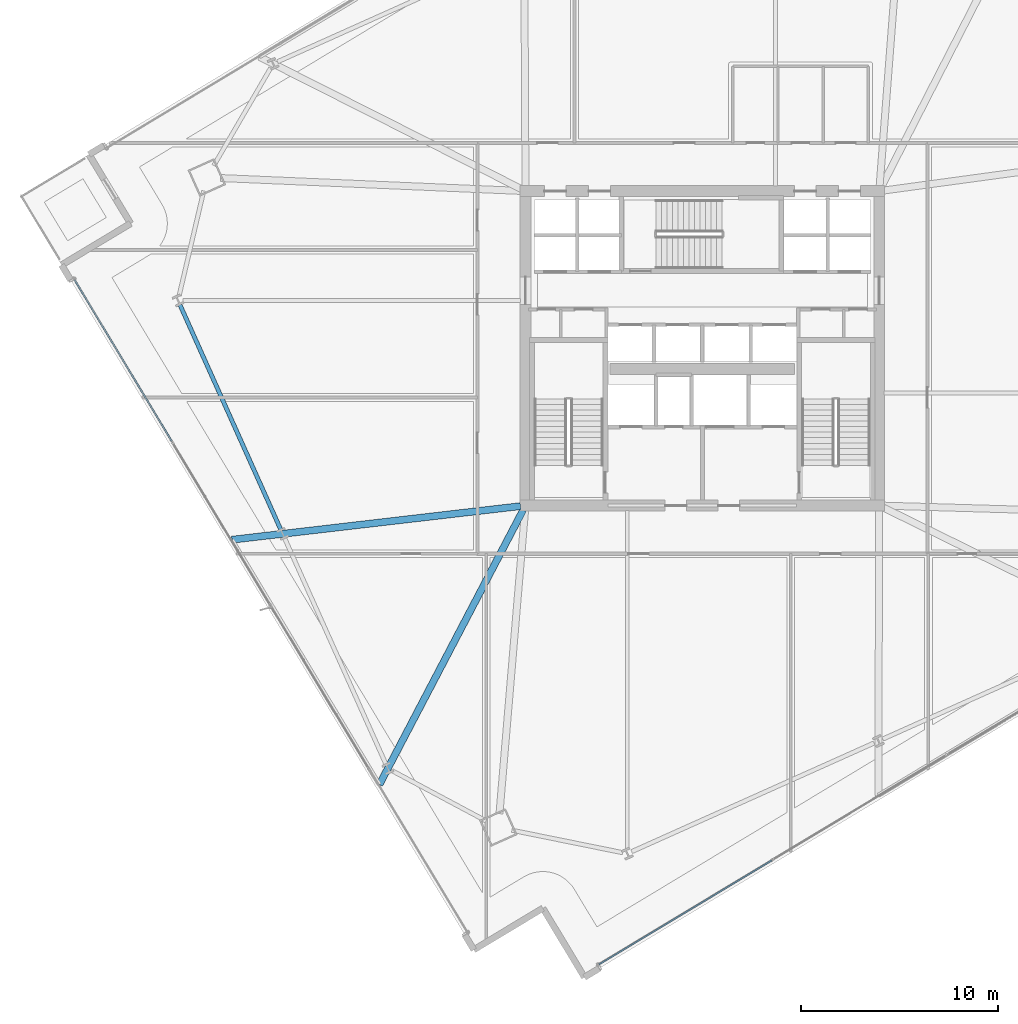
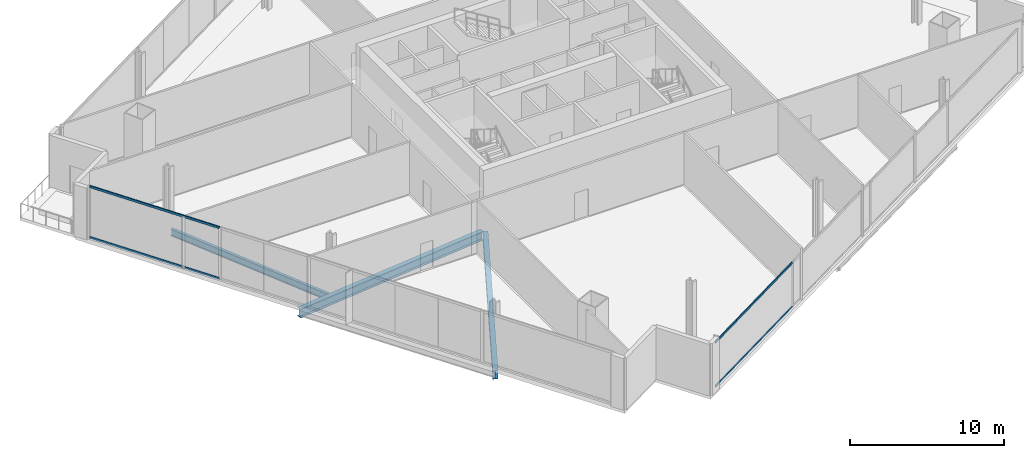
# One storey, part 5 of 30: 4 members, 3 beams, 2 elements without a shape of their own.
"""IFC4 building model written with IfcOpenShell, lengths in metres."""

from ifc_helpers import new_model, si_unit, direction, frame, origin, origin_2d, place, context, subcontext, project, spatial, hollow_rectangle, i_section, extrude, material, material_profile, profile_set, type_object, element, aggregate, save


model = new_model("IFC4")

# Units and contexts
model_context = context("Model", 3, precision=1e-05, world=origin(), true_north=direction((0.0, 1.0)))
body_context = subcontext(model_context, "Body", "Model", "MODEL_VIEW")
ifc_project = project(units=[si_unit("LENGTHUNIT", "METRE"), si_unit("AREAUNIT", "SQUARE_METRE"), si_unit("VOLUMEUNIT", "CUBIC_METRE"), si_unit("PLANEANGLEUNIT", "RADIAN"), si_unit("MASSUNIT", "GRAM", prefix="KILO")], contexts=[model_context])

# Site, building, storey
site_placement = place(None, origin())
site = spatial("IfcSite", under=ifc_project, at=site_placement, CompositionType="ELEMENT")
building_placement = place(site_placement, origin())
building = spatial("IfcBuilding", under=site, at=building_placement, Name="Haldenkirk Collegiate Tower", CompositionType="ELEMENT")
storey_placement = place(building_placement, frame((0.0, 0.0, 131.699951171875)))
storey = spatial("IfcBuildingStorey", under=building, at=storey_placement, Name="L32", CompositionType="ELEMENT", Elevation=131.699951171875)

# Beams
ifc_material_1 = material(Name="Steel ASTM A992 Grade 50", Category="steel")
ifc_material_profile_1 = material_profile(ifc_material_1, i_section(OverallWidth=0.35498046875, OverallDepth=0.696044921875, WebThickness=0.015380859375, FlangeThickness=0.02490234375, at=origin_2d()), Name="W27X146")
ifc_profile_set_1 = profile_set([ifc_material_profile_1], Name="Steel ASTM A992 Grade 50")
beam_type_1 = type_object("IfcBeamType", Name="BM-GIRDER-W27X146", PredefinedType="BEAM", material=ifc_profile_set_1)
beam_1_placement = place(storey_placement, frame((12.063720703125, 16.260498046875, -0.697998046875), z_axis=(0.993286785675, 0.115677834537, 0.0), x_axis=(-0.115677834537, 0.993286785675, 0.0)))
element("IfcBeam", 1, at=beam_1_placement, inside=storey, type_object=beam_type_1, Name="L32 primary floor girder 15", PredefinedType="BEAM", context=body_context, shape_type="SweptSolid", body=[
    extrude(i_section(OverallWidth=0.35498046875, OverallDepth=0.696044921875, WebThickness=0.015380859375, FlangeThickness=0.02490234375, at=origin_2d()), origin(), (0.0, 0.0, 1.0), 14.781982421875),
])
beam_2_placement = place(storey_placement, frame((19.56591796875, 3.7998046875, -0.697998046875), z_axis=(0.463796459556, 0.885941783699, 0.0), x_axis=(-0.885941783699, 0.463796459556, 0.0)))
element("IfcBeam", 2, at=beam_2_placement, inside=storey, type_object=beam_type_1, Name="L32 primary floor girder 16", PredefinedType="BEAM", context=body_context, shape_type="SweptSolid", body=[
    extrude(i_section(OverallWidth=0.35498046875, OverallDepth=0.696044921875, WebThickness=0.015380859375, FlangeThickness=0.02490234375, at=origin_2d()), origin(), (0.0, 0.0, 1.0), 15.7734375),
])
ifc_material_profile_2 = material_profile(ifc_material_1, i_section(OverallWidth=0.2119140625, OverallDepth=0.5439453125, WebThickness=0.01318359375, FlangeThickness=0.021240234375, at=origin_2d()), Name="W21X83")
ifc_profile_set_2 = profile_set([ifc_material_profile_2], Name="Steel ASTM A992 Grade 50")
beam_type_2 = type_object("IfcBeamType", Name="BM-SPANDREL-W21X83", PredefinedType="SPANDREL", material=ifc_profile_set_2)
beam_3_placement = place(storey_placement, frame((9.418212890625, 28.212890625, -0.6220703125), z_axis=(0.409115233697, -0.912482726169, 0.0), x_axis=(0.912482726169, 0.409115233697, 0.0)))
element("IfcBeam", 3, at=beam_3_placement, inside=storey, type_object=beam_type_2, Name="L32 perimeter spandrel beam 14", PredefinedType="SPANDREL", context=body_context, shape_type="SweptSolid", body=[
    extrude(i_section(OverallWidth=0.2119140625, OverallDepth=0.5439453125, WebThickness=0.01318359375, FlangeThickness=0.021240234375, at=origin_2d()), origin(), (0.0, 0.0, 1.0), 12.524169921875),
])

# Curtain wall, members
ifc_material_2 = material(Name="Anodised architectural bronze aluminium", Category="aluminium")
curtain_wall_type_1 = type_object("IfcCurtainWallType", Name="CW-SYS2-CONCAVE", PredefinedType="USERDEFINED", material=ifc_material_2)
curtain_wall_1_placement = place(storey_placement, origin())
curtain_wall_1 = element("IfcCurtainWall", 4, at=curtain_wall_1_placement, inside=storey, type_object=curtain_wall_type_1, Name="L32 South concave recessed bronze-anodised curtain wall", ObjectType="UNITISED CURTAIN WALL", PredefinedType="USERDEFINED")
ifc_material_profile_3 = material_profile(ifc_material_2, hollow_rectangle(XDim=0.074951171875, YDim=0.159912109375, WallThickness=0.0048828125, at=origin_2d()), Name="CW-TRN-02")
ifc_profile_set_3 = profile_set([ifc_material_profile_3], Name="Anodised architectural bronze aluminium")
member_type_1 = type_object("IfcMemberType", Name="CW-TRN-02", PredefinedType="USERDEFINED", material=ifc_profile_set_3)
member_1_placement = place(storey_placement, frame((39.533203125, -0.05615234375, 0.03759765625), z_axis=(-0.856723715593, -0.515775605414, 0.0), x_axis=(0.515775605414, -0.856723715593, 0.0)))
member_1 = element("IfcMember", 5, at=member_1_placement, type_object=member_type_1, Name="CW-02 transom 4.1", ObjectType="TRANSOM", PredefinedType="USERDEFINED", context=body_context, shape_type="SweptSolid", body=[
    extrude(hollow_rectangle(XDim=0.074951171875, YDim=0.159912109375, WallThickness=0.0048828125, at=origin_2d()), origin(), (0.0, 0.0, 1.0), 10.2626953125),
])
member_2_placement = place(storey_placement, frame((39.533203125, -0.05615234375, 3.513427734375), z_axis=(-0.856723715593, -0.515775605414, 0.0), x_axis=(0.515775605414, -0.856723715593, 0.0)))
member_2 = element("IfcMember", 6, at=member_2_placement, type_object=member_type_1, Name="CW-02 transom 4.2", ObjectType="TRANSOM", PredefinedType="USERDEFINED", context=body_context, shape_type="SweptSolid", body=[
    extrude(hollow_rectangle(XDim=0.074951171875, YDim=0.159912109375, WallThickness=0.0048828125, at=origin_2d()), origin(), (0.0, 0.0, 1.0), 10.2626953125),
])
aggregate(curtain_wall_1, [member_1, member_2])

curtain_wall_type_2 = type_object("IfcCurtainWallType", Name="CW-SYS1-CONVEX-LOW", PredefinedType="USERDEFINED", material=ifc_material_2)
curtain_wall_2_placement = place(storey_placement, origin())
curtain_wall_2 = element("IfcCurtainWall", 7, at=curtain_wall_2_placement, inside=storey, type_object=curtain_wall_type_2, Name="L32 Lower tower convex bronze-framed unitised curtain wall", ObjectType="UNITISED CURTAIN WALL", PredefinedType="USERDEFINED")
ifc_material_profile_4 = material_profile(ifc_material_2, hollow_rectangle(XDim=0.080078125, YDim=0.179931640625, WallThickness=0.0048828125, at=origin_2d()), Name="CW-TRN-1A")
ifc_profile_set_4 = profile_set([ifc_material_profile_4], Name="Anodised architectural bronze aluminium")
member_type_2 = type_object("IfcMemberType", Name="CW-TRN-1A", PredefinedType="USERDEFINED", material=ifc_profile_set_4)
member_3_placement = place(storey_placement, frame((9.002197265625, 21.268310546875, 0.0400390625), z_axis=(-0.515789344487, 0.856715444073, 0.0), x_axis=(-0.856715444073, -0.515789344487, 0.0)))
member_3 = element("IfcMember", 8, at=member_3_placement, type_object=member_type_2, Name="CW-1A transom 4.1", ObjectType="TRANSOM", PredefinedType="USERDEFINED", context=body_context, shape_type="SweptSolid", body=[
    extrude(hollow_rectangle(XDim=0.080078125, YDim=0.179931640625, WallThickness=0.0048828125, at=origin_2d()), origin(), (0.0, 0.0, 1.0), 9.5986328125),
])
member_4_placement = place(storey_placement, frame((9.002197265625, 21.268310546875, 4.06005859375), z_axis=(-0.515789344487, 0.856715444073, 0.0), x_axis=(-0.856715444073, -0.515789344487, 0.0)))
member_4 = element("IfcMember", 9, at=member_4_placement, type_object=member_type_2, Name="CW-1A transom 4.2", ObjectType="TRANSOM", PredefinedType="USERDEFINED", context=body_context, shape_type="SweptSolid", body=[
    extrude(hollow_rectangle(XDim=0.080078125, YDim=0.179931640625, WallThickness=0.0048828125, at=origin_2d()), origin(), (0.0, 0.0, 1.0), 9.5986328125),
])
aggregate(curtain_wall_2, [member_3, member_4])

save(model, "model.ifc")
